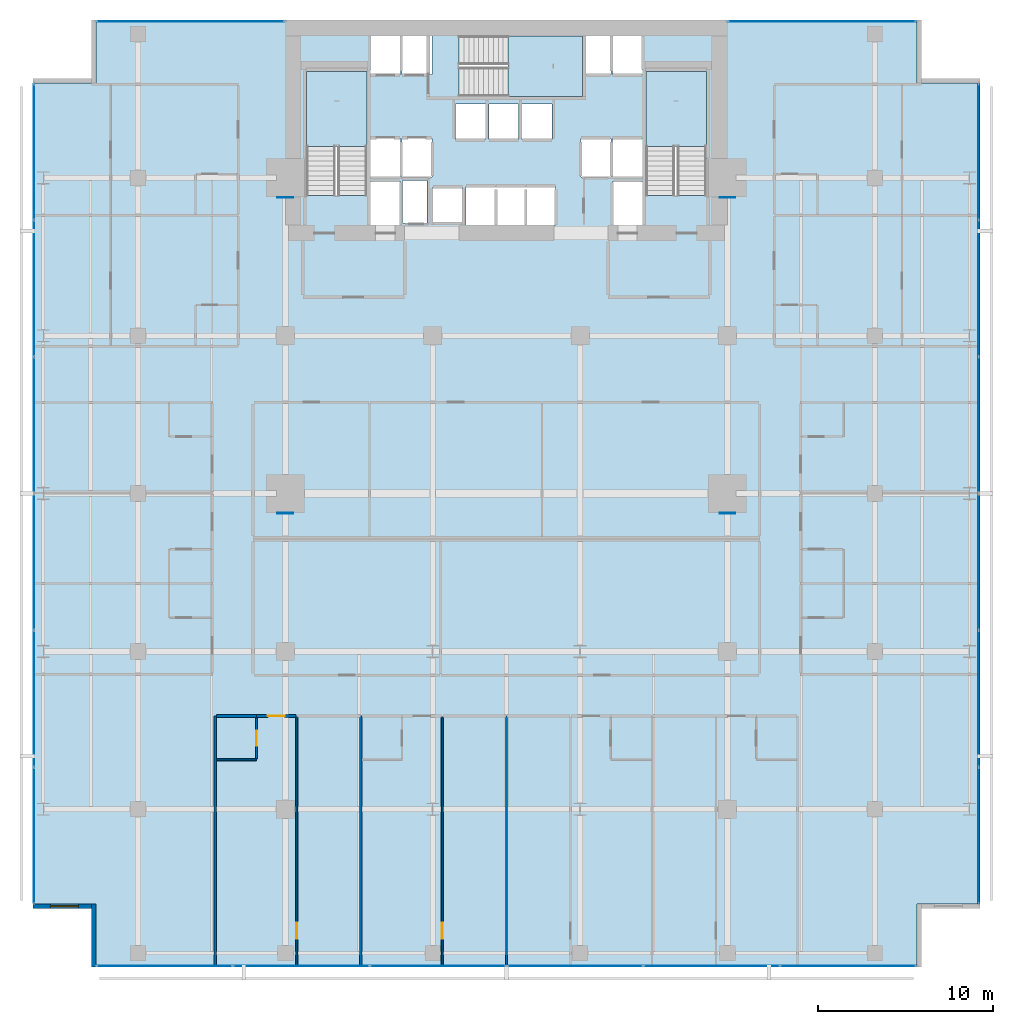
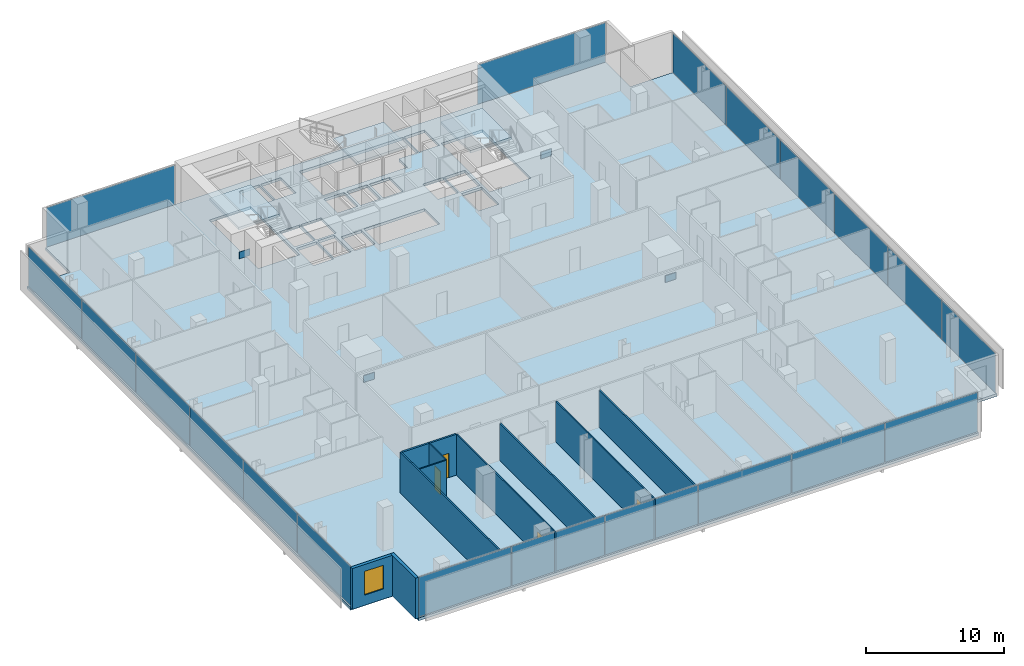
# One storey, part 32 of 39: 24 plates, 11 walls, 4 doors, 4 slabs, 1 window, 5 openings, 8 elements without a shape of their own.
"""IFC4 building model written with IfcOpenShell, lengths in metres."""

from ifc_helpers import new_model, si_unit, direction, frame, frame_2d, origin, origin_2d, place, context, subcontext, project, spatial, polyline, rectangle, outline, extrude, material, layer, layer_set, type_object, element, fill, aggregate, save


model = new_model("IFC4")

# Units and contexts
model_context = context("Model", 3, precision=1e-05, world=origin(), true_north=direction((0.0, 1.0)))
body_context = subcontext(model_context, "Body", "Model", "MODEL_VIEW")
ifc_project = project(units=[si_unit("LENGTHUNIT", "METRE"), si_unit("AREAUNIT", "SQUARE_METRE"), si_unit("VOLUMEUNIT", "CUBIC_METRE"), si_unit("PLANEANGLEUNIT", "RADIAN"), si_unit("MASSUNIT", "GRAM", prefix="KILO")], contexts=[model_context])

# Site, building, storey
site_placement = place(None, origin())
site = spatial("IfcSite", under=ifc_project, at=site_placement, CompositionType="ELEMENT")
building_placement = place(site_placement, origin())
building = spatial("IfcBuilding", under=site, at=building_placement, Name="Maruvema Waterfront Hotel and Observation Tower", CompositionType="ELEMENT")
storey_placement = place(building_placement, frame((0.0, 0.0, 46.199951171875)))
storey = spatial("IfcBuildingStorey", under=building, at=storey_placement, Name="L10", CompositionType="ELEMENT", Elevation=46.199951171875)

# Slab
ifc_material_1 = material(Name="Concrete C50/60", Category="concrete")
ifc_layer_1 = layer(ifc_material_1, 0.239990234375, Name="Reinforced Concrete Floor Slab 240 mm")
ifc_layer_set_1 = layer_set([ifc_layer_1], Name="Concrete C50/60")
slab_type_1 = type_object("IfcSlabType", Name="Reinforced Concrete Floor Slab 240 mm", PredefinedType="FLOOR", material=ifc_layer_set_1)
slab_1_placement = place(storey_placement, frame((0.0, 0.0, -0.239990234375)))
element("IfcSlab", 1, at=slab_1_placement, inside=storey, type_object=slab_type_1, Name="L10 Structural Floor Slab", PredefinedType="FLOOR", context=body_context, shape_type="SweptSolid", body=[
    extrude(outline(polyline([(14.39990234375, 0.0), (61.199951171875, 0.0), (61.199951171875, 3.60009765625), (64.800048828125, 3.60009765625), (64.800048828125, 50.39990234375), (61.199951171875, 50.39990234375), (61.199951171875, 54.0), (14.39990234375, 54.0), (14.39990234375, 50.39990234375), (10.800048828125, 50.39990234375), (10.800048828125, 3.60009765625), (14.39990234375, 3.60009765625), (14.39990234375, 0.0)]), holes=[polyline([(26.39990234375, 44.00048828125), (26.39990234375, 51.050048828125), (29.85009765625, 51.050048828125), (29.85009765625, 44.00048828125), (26.39990234375, 44.00048828125)]), polyline([(30.050048828125, 44.800048828125), (31.75, 44.800048828125), (31.75, 42.320068359375), (30.050048828125, 42.320068359375), (30.050048828125, 44.800048828125)]), polyline([(31.75, 47.25), (31.75, 45.050048828125), (30.050048828125, 45.050048828125), (30.050048828125, 47.25), (31.75, 47.25)]), polyline([(31.75, 53.10009765625), (31.75, 50.89990234375), (30.050048828125, 50.89990234375), (30.050048828125, 53.10009765625), (31.75, 53.10009765625)]), polyline([(33.280029296875, 44.860107421875), (33.280029296875, 42.43994140625), (31.8798828125, 42.43994140625), (31.8798828125, 44.860107421875), (33.280029296875, 44.860107421875)]), polyline([(31.85009765625, 47.25), (33.550048828125, 47.25), (33.550048828125, 45.050048828125), (31.85009765625, 45.050048828125), (31.85009765625, 47.25)]), polyline([(31.85009765625, 53.10009765625), (33.550048828125, 53.10009765625), (33.550048828125, 50.89990234375), (31.85009765625, 50.89990234375), (31.85009765625, 53.10009765625)]), polyline([(33.60009765625, 44.449951171875), (35.300048828125, 44.449951171875), (35.300048828125, 42.449951171875), (33.60009765625, 42.449951171875), (33.60009765625, 44.449951171875)]), polyline([(34.89990234375, 49.199951171875), (36.60009765625, 49.199951171875), (36.60009765625, 47.199951171875), (34.89990234375, 47.199951171875), (34.89990234375, 49.199951171875)]), polyline([(38.5, 49.199951171875), (38.5, 47.199951171875), (36.800048828125, 47.199951171875), (36.800048828125, 49.199951171875), (38.5, 49.199951171875)]), polyline([(35.5, 44.5), (40.60009765625, 44.5), (40.60009765625, 42.300048828125), (35.5, 42.300048828125), (35.5, 44.5)]), polyline([(43.75, 50.89990234375), (42.14990234375, 50.89990234375), (42.14990234375, 49.64990234375), (35.1005859375, 49.64990234375), (35.1005859375, 53.10009765625), (43.75, 53.10009765625), (43.75, 50.89990234375)]), polyline([(40.39990234375, 49.199951171875), (40.39990234375, 47.199951171875), (38.699951171875, 47.199951171875), (38.699951171875, 49.199951171875), (40.39990234375, 49.199951171875)]), polyline([(43.75, 47.25), (43.75, 45.050048828125), (42.050048828125, 45.050048828125), (42.050048828125, 47.25), (43.75, 47.25)]), polyline([(45.550048828125, 44.800048828125), (45.550048828125, 42.320068359375), (43.85009765625, 42.320068359375), (43.85009765625, 44.800048828125), (45.550048828125, 44.800048828125)]), polyline([(43.85009765625, 47.25), (45.550048828125, 47.25), (45.550048828125, 45.050048828125), (43.85009765625, 45.050048828125), (43.85009765625, 47.25)]), polyline([(45.550048828125, 53.10009765625), (45.550048828125, 50.89990234375), (43.85009765625, 50.89990234375), (43.85009765625, 53.10009765625), (45.550048828125, 53.10009765625)]), polyline([(45.75, 51.050048828125), (49.199951171875, 51.050048828125), (49.199951171875, 44.00048828125), (45.75, 44.00048828125), (45.75, 51.050048828125)])]), origin(), (0.0, 0.0, 1.0), 0.239990234375),
])

# Curtain wall, plates
ifc_material_2 = material(Name="Anodised bronze aluminium and solar-control low-E IGU", Category="aluminium")
ifc_layer_2 = layer(ifc_material_2, 0.159912109375, Name="Zone 1 Bronze Inner Thermal Curtain Wall System CW-02")
ifc_layer_set_2 = layer_set([ifc_layer_2], Name="Anodised bronze aluminium and solar-control low-E IGU")
curtain_wall_type = type_object("IfcCurtainWallType", Name="Zone 1 Bronze Inner Thermal Curtain Wall System CW-02", PredefinedType="USERDEFINED", material=ifc_layer_set_2)
curtain_wall_1_placement = place(storey_placement, origin())
curtain_wall_1 = element("IfcCurtainWall", 2, at=curtain_wall_1_placement, inside=storey, type_object=curtain_wall_type, Name="L10 Curtain Wall CW-L10-S", ObjectType="UNITISED CURTAIN WALL", PredefinedType="USERDEFINED")
ifc_material_3 = material(Name="Laminated low-E solar-control double glazing", Category="glass")
ifc_layer_3 = layer(ifc_material_3, 0.035888671875, Name="Solar Control Double-Glazed Curtain Panel 36 mm")
ifc_layer_set_3 = layer_set([ifc_layer_3], Name="Laminated low-E solar-control double glazing")
plate_type_1 = type_object("IfcPlateType", Name="Solar Control Double-Glazed Curtain Panel 36 mm", PredefinedType="CURTAIN_PANEL", material=ifc_layer_set_3)
plate_1_placement = place(storey_placement, frame((18.31494140625, 0.080078125, 0.06005859375), z_axis=(0.0, 0.0, 1.0), x_axis=(1.0, 0.0, 0.0)))
plate_1 = element("IfcPlate", 3, at=plate_1_placement, type_object=plate_type_1, Name="CW-02 panel 1.1", PredefinedType="CURTAIN_PANEL", context=body_context, shape_type="SweptSolid", body=[
    extrude(rectangle(XDim=7.7099609375, YDim=0.028076171875, at=origin_2d()), origin(), (0.0, 0.0, 1.0), 3.489990234375),
])
plate_2_placement = place(storey_placement, frame((26.10009765625, 0.080078125, 0.06005859375), z_axis=(0.0, 0.0, 1.0), x_axis=(1.0, 0.0, 0.0)))
plate_2 = element("IfcPlate", 4, at=plate_2_placement, type_object=plate_type_1, Name="CW-02 panel 2.1", PredefinedType="CURTAIN_PANEL", context=body_context, shape_type="SweptSolid", body=[
    extrude(rectangle(XDim=7.739990234375, YDim=0.028076171875, at=origin_2d()), origin(), (0.0, 0.0, 1.0), 3.489990234375),
])
plate_3_placement = place(storey_placement, frame((33.89990234375, 0.080078125, 0.06005859375), z_axis=(0.0, 0.0, 1.0), x_axis=(1.0, 0.0, 0.0)))
plate_3 = element("IfcPlate", 5, at=plate_3_placement, type_object=plate_type_1, Name="CW-02 panel 3.1", PredefinedType="CURTAIN_PANEL", context=body_context, shape_type="SweptSolid", body=[
    extrude(rectangle(XDim=7.739990234375, YDim=0.028076171875, at=origin_2d()), origin(), (0.0, 0.0, 1.0), 3.489990234375),
])
plate_4_placement = place(storey_placement, frame((41.699951171875, 0.080078125, 0.06005859375), z_axis=(0.0, 0.0, 1.0), x_axis=(1.0, 0.0, 0.0)))
plate_4 = element("IfcPlate", 6, at=plate_4_placement, type_object=plate_type_1, Name="CW-02 panel 4.1", PredefinedType="CURTAIN_PANEL", context=body_context, shape_type="SweptSolid", body=[
    extrude(rectangle(XDim=7.739990234375, YDim=0.028076171875, at=origin_2d()), origin(), (0.0, 0.0, 1.0), 3.489990234375),
])
plate_5_placement = place(storey_placement, frame((49.5, 0.080078125, 0.06005859375), z_axis=(0.0, 0.0, 1.0), x_axis=(1.0, 0.0, 0.0)))
plate_5 = element("IfcPlate", 7, at=plate_5_placement, type_object=plate_type_1, Name="CW-02 panel 5.1", PredefinedType="CURTAIN_PANEL", context=body_context, shape_type="SweptSolid", body=[
    extrude(rectangle(XDim=7.739990234375, YDim=0.028076171875, at=origin_2d()), origin(), (0.0, 0.0, 1.0), 3.489990234375),
])
plate_6_placement = place(storey_placement, frame((57.284912109375, 0.080078125, 0.06005859375), z_axis=(0.0, 0.0, 1.0), x_axis=(1.0, 0.0, 0.0)))
plate_6 = element("IfcPlate", 8, at=plate_6_placement, type_object=plate_type_1, Name="CW-02 panel 6.1", PredefinedType="CURTAIN_PANEL", context=body_context, shape_type="SweptSolid", body=[
    extrude(rectangle(XDim=7.7099609375, YDim=0.028076171875, at=origin_2d()), origin(), (0.0, 0.0, 1.0), 3.489990234375),
])
aggregate(curtain_wall_1, [plate_1, plate_2, plate_3, plate_4, plate_5, plate_6])

curtain_wall_2_placement = place(storey_placement, origin())
curtain_wall_2 = element("IfcCurtainWall", 9, at=curtain_wall_2_placement, inside=storey, type_object=curtain_wall_type, Name="L10 Curtain Wall CW-L10-E", ObjectType="UNITISED CURTAIN WALL", PredefinedType="USERDEFINED")
plate_7_placement = place(storey_placement, frame((64.719970703125, 7.514892578125, 0.06005859375), z_axis=(0.0, 0.0, 1.0), x_axis=(0.0, 1.0, 0.0)))
plate_7 = element("IfcPlate", 10, at=plate_7_placement, type_object=plate_type_1, Name="CW-02 panel 1.1", PredefinedType="CURTAIN_PANEL", context=body_context, shape_type="SweptSolid", body=[
    extrude(rectangle(XDim=7.7099609375, YDim=0.028076171875, at=origin_2d()), origin(), (0.0, 0.0, 1.0), 3.489990234375),
])
plate_8_placement = place(storey_placement, frame((64.719970703125, 15.300048828125, 0.06005859375), z_axis=(0.0, 0.0, 1.0), x_axis=(0.0, 1.0, 0.0)))
plate_8 = element("IfcPlate", 11, at=plate_8_placement, type_object=plate_type_1, Name="CW-02 panel 2.1", PredefinedType="CURTAIN_PANEL", context=body_context, shape_type="SweptSolid", body=[
    extrude(rectangle(XDim=7.739990234375, YDim=0.028076171875, at=origin_2d()), origin(), (0.0, 0.0, 1.0), 3.489990234375),
])
plate_9_placement = place(storey_placement, frame((64.719970703125, 23.10009765625, 0.06005859375), z_axis=(0.0, 0.0, 1.0), x_axis=(0.0, 1.0, 0.0)))
plate_9 = element("IfcPlate", 12, at=plate_9_placement, type_object=plate_type_1, Name="CW-02 panel 3.1", PredefinedType="CURTAIN_PANEL", context=body_context, shape_type="SweptSolid", body=[
    extrude(rectangle(XDim=7.739990234375, YDim=0.028076171875, at=origin_2d()), origin(), (0.0, 0.0, 1.0), 3.489990234375),
])
plate_10_placement = place(storey_placement, frame((64.719970703125, 30.89990234375, 0.06005859375), z_axis=(0.0, 0.0, 1.0), x_axis=(0.0, 1.0, 0.0)))
plate_10 = element("IfcPlate", 13, at=plate_10_placement, type_object=plate_type_1, Name="CW-02 panel 4.1", PredefinedType="CURTAIN_PANEL", context=body_context, shape_type="SweptSolid", body=[
    extrude(rectangle(XDim=7.739990234375, YDim=0.028076171875, at=origin_2d()), origin(), (0.0, 0.0, 1.0), 3.489990234375),
])
plate_11_placement = place(storey_placement, frame((64.719970703125, 38.699951171875, 0.06005859375), z_axis=(0.0, 0.0, 1.0), x_axis=(0.0, 1.0, 0.0)))
plate_11 = element("IfcPlate", 14, at=plate_11_placement, type_object=plate_type_1, Name="CW-02 panel 5.1", PredefinedType="CURTAIN_PANEL", context=body_context, shape_type="SweptSolid", body=[
    extrude(rectangle(XDim=7.739990234375, YDim=0.028076171875, at=origin_2d()), origin(), (0.0, 0.0, 1.0), 3.489990234375),
])
plate_12_placement = place(storey_placement, frame((64.719970703125, 46.485107421875, 0.06005859375), z_axis=(0.0, 0.0, 1.0), x_axis=(0.0, 1.0, 0.0)))
plate_12 = element("IfcPlate", 15, at=plate_12_placement, type_object=plate_type_1, Name="CW-02 panel 6.1", PredefinedType="CURTAIN_PANEL", context=body_context, shape_type="SweptSolid", body=[
    extrude(rectangle(XDim=7.7099609375, YDim=0.028076171875, at=origin_2d()), origin(), (0.0, 0.0, 1.0), 3.489990234375),
])
aggregate(curtain_wall_2, [plate_7, plate_8, plate_9, plate_10, plate_11, plate_12])

curtain_wall_3_placement = place(storey_placement, origin())
curtain_wall_3 = element("IfcCurtainWall", 16, at=curtain_wall_3_placement, inside=storey, type_object=curtain_wall_type, Name="L10 Curtain Wall CW-L10-W", ObjectType="UNITISED CURTAIN WALL", PredefinedType="USERDEFINED")
plate_13_placement = place(storey_placement, frame((10.8798828125, 46.485107421875, 0.06005859375), z_axis=(0.0, 0.0, 1.0), x_axis=(0.0, -1.0, 0.0)))
plate_13 = element("IfcPlate", 17, at=plate_13_placement, type_object=plate_type_1, Name="CW-02 panel 1.1", PredefinedType="CURTAIN_PANEL", context=body_context, shape_type="SweptSolid", body=[
    extrude(rectangle(XDim=7.7099609375, YDim=0.028076171875, at=origin_2d()), origin(), (0.0, 0.0, 1.0), 3.489990234375),
])
plate_14_placement = place(storey_placement, frame((10.8798828125, 38.699951171875, 0.06005859375), z_axis=(0.0, 0.0, 1.0), x_axis=(0.0, -1.0, 0.0)))
plate_14 = element("IfcPlate", 18, at=plate_14_placement, type_object=plate_type_1, Name="CW-02 panel 2.1", PredefinedType="CURTAIN_PANEL", context=body_context, shape_type="SweptSolid", body=[
    extrude(rectangle(XDim=7.739990234375, YDim=0.028076171875, at=origin_2d()), origin(), (0.0, 0.0, 1.0), 3.489990234375),
])
plate_15_placement = place(storey_placement, frame((10.8798828125, 30.89990234375, 0.06005859375), z_axis=(0.0, 0.0, 1.0), x_axis=(0.0, -1.0, 0.0)))
plate_15 = element("IfcPlate", 19, at=plate_15_placement, type_object=plate_type_1, Name="CW-02 panel 3.1", PredefinedType="CURTAIN_PANEL", context=body_context, shape_type="SweptSolid", body=[
    extrude(rectangle(XDim=7.739990234375, YDim=0.028076171875, at=origin_2d()), origin(), (0.0, 0.0, 1.0), 3.489990234375),
])
plate_16_placement = place(storey_placement, frame((10.8798828125, 23.10009765625, 0.06005859375), z_axis=(0.0, 0.0, 1.0), x_axis=(0.0, -1.0, 0.0)))
plate_16 = element("IfcPlate", 20, at=plate_16_placement, type_object=plate_type_1, Name="CW-02 panel 4.1", PredefinedType="CURTAIN_PANEL", context=body_context, shape_type="SweptSolid", body=[
    extrude(rectangle(XDim=7.739990234375, YDim=0.028076171875, at=origin_2d()), origin(), (0.0, 0.0, 1.0), 3.489990234375),
])
plate_17_placement = place(storey_placement, frame((10.8798828125, 15.300048828125, 0.06005859375), z_axis=(0.0, 0.0, 1.0), x_axis=(0.0, -1.0, 0.0)))
plate_17 = element("IfcPlate", 21, at=plate_17_placement, type_object=plate_type_1, Name="CW-02 panel 5.1", PredefinedType="CURTAIN_PANEL", context=body_context, shape_type="SweptSolid", body=[
    extrude(rectangle(XDim=7.739990234375, YDim=0.028076171875, at=origin_2d()), origin(), (0.0, 0.0, 1.0), 3.489990234375),
])
plate_18_placement = place(storey_placement, frame((10.8798828125, 7.514892578125, 0.06005859375), z_axis=(0.0, 0.0, 1.0), x_axis=(0.0, -1.0, 0.0)))
plate_18 = element("IfcPlate", 22, at=plate_18_placement, type_object=plate_type_1, Name="CW-02 panel 6.1", PredefinedType="CURTAIN_PANEL", context=body_context, shape_type="SweptSolid", body=[
    extrude(rectangle(XDim=7.7099609375, YDim=0.028076171875, at=origin_2d()), origin(), (0.0, 0.0, 1.0), 3.489990234375),
])
aggregate(curtain_wall_3, [plate_13, plate_14, plate_15, plate_16, plate_17, plate_18])

# Curtain wall, plate
curtain_wall_4_placement = place(storey_placement, origin())
curtain_wall_4 = element("IfcCurtainWall", 23, at=curtain_wall_4_placement, inside=storey, type_object=curtain_wall_type, Name="L10 Curtain Wall CW-L10-NW", ObjectType="UNITISED CURTAIN WALL", PredefinedType="USERDEFINED")
plate_19_placement = place(storey_placement, frame((19.800048828125, 53.919921875, 0.06005859375), z_axis=(0.0, 0.0, 1.0), x_axis=(-1.0, 0.0, 0.0)))
plate_19 = element("IfcPlate", 24, at=plate_19_placement, type_object=plate_type_1, Name="CW-02 panel 1.1", PredefinedType="CURTAIN_PANEL", context=body_context, shape_type="SweptSolid", body=[
    extrude(rectangle(XDim=10.679931640625, YDim=0.028076171875, at=origin_2d()), origin(), (0.0, 0.0, 1.0), 3.489990234375),
])
aggregate(curtain_wall_4, [plate_19])

curtain_wall_5_placement = place(storey_placement, origin())
curtain_wall_5 = element("IfcCurtainWall", 25, at=curtain_wall_5_placement, inside=storey, type_object=curtain_wall_type, Name="L10 Curtain Wall CW-L10-NE", ObjectType="UNITISED CURTAIN WALL", PredefinedType="USERDEFINED")
plate_20_placement = place(storey_placement, frame((55.800048828125, 53.919921875, 0.06005859375), z_axis=(0.0, 0.0, 1.0), x_axis=(-1.0, 0.0, 0.0)))
plate_20 = element("IfcPlate", 26, at=plate_20_placement, type_object=plate_type_1, Name="CW-02 panel 1.1", PredefinedType="CURTAIN_PANEL", context=body_context, shape_type="SweptSolid", body=[
    extrude(rectangle(XDim=10.679931640625, YDim=0.028076171875, at=origin_2d()), origin(), (0.0, 0.0, 1.0), 3.489990234375),
])
aggregate(curtain_wall_5, [plate_20])

# Stair, slab
ifc_material_4 = material(Name="Concrete C50/60", Category="concrete")
stair_type = type_object("IfcStairType", Name="Dogleg Exit Stair 1650 mm (22R x 175.0 mm)", PredefinedType="HALF_TURN_STAIR", material=ifc_material_4)
stair_1_placement = place(storey_placement, origin())
stair_1 = element("IfcStair", 27, at=stair_1_placement, inside=storey, type_object=stair_type, Name="L10 ST-01", PredefinedType="HALF_TURN_STAIR")
ifc_material_5 = material(Name="Concrete C50/60", Category="concrete")
ifc_layer_4 = layer(ifc_material_5, 0.219970703125, Name="Stair Concrete Landing Slab 220 mm")
ifc_layer_set_4 = layer_set([ifc_layer_4], Name="Concrete C50/60")
slab_type_2 = type_object("IfcSlabType", Name="Stair Concrete Landing Slab 220 mm", PredefinedType="LANDING", material=ifc_layer_set_4)
slab_2_placement = place(storey_placement, frame((0.0, 0.0, 1.705078125)))
slab_2 = element("IfcSlab", 28, at=slab_2_placement, type_object=slab_type_2, Name="ST-01 landing 1", PredefinedType="LANDING", context=body_context, shape_type="SweptSolid", body=[
    extrude(outline(polyline([(29.85009765625, 46.800048828125), (29.85009765625, 51.050048828125), (26.39990234375, 51.050048828125), (26.39990234375, 46.800048828125), (29.85009765625, 46.800048828125)])), origin(), (0.0, 0.0, 1.0), 0.219970703125),
])
aggregate(stair_1, [slab_2])

stair_2_placement = place(storey_placement, origin())
stair_2 = element("IfcStair", 29, at=stair_2_placement, inside=storey, type_object=stair_type, Name="L10 ST-02", PredefinedType="HALF_TURN_STAIR")
slab_3_placement = place(storey_placement, frame((0.0, 0.0, 1.705078125)))
slab_3 = element("IfcSlab", 30, at=slab_3_placement, type_object=slab_type_2, Name="ST-02 landing 1", PredefinedType="LANDING", context=body_context, shape_type="SweptSolid", body=[
    extrude(outline(polyline([(37.89990234375, 49.64990234375), (42.14990234375, 49.64990234375), (42.14990234375, 53.10009765625), (37.89990234375, 53.10009765625), (37.89990234375, 49.64990234375)])), origin(), (0.0, 0.0, 1.0), 0.219970703125),
])
aggregate(stair_2, [slab_3])

stair_3_placement = place(storey_placement, origin())
stair_3 = element("IfcStair", 31, at=stair_3_placement, inside=storey, type_object=stair_type, Name="L10 ST-03", PredefinedType="HALF_TURN_STAIR")
slab_4_placement = place(storey_placement, frame((0.0, 0.0, 1.705078125)))
slab_4 = element("IfcSlab", 32, at=slab_4_placement, type_object=slab_type_2, Name="ST-03 landing 1", PredefinedType="LANDING", context=body_context, shape_type="SweptSolid", body=[
    extrude(outline(polyline([(49.199951171875, 46.800048828125), (49.199951171875, 51.050048828125), (45.75, 51.050048828125), (45.75, 46.800048828125), (49.199951171875, 46.800048828125)])), origin(), (0.0, 0.0, 1.0), 0.219970703125),
])
aggregate(stair_3, [slab_4])

# Plates
ifc_material_6 = material(Name="Steel ABNT NBR 7007 AR 415 (ASTM A572 Grade 50)", Category="steel")
ifc_layer_5 = layer(ifc_material_6, 0.0400390625, Name="Structural Truss Node Gusset Plate 40 mm")
ifc_layer_set_5 = layer_set([ifc_layer_5], Name="Steel ABNT NBR 7007 AR 415 (ASTM A572 Grade 50)")
plate_type_2 = type_object("IfcPlateType", Name="Structural Truss Node Gusset Plate 40 mm", PredefinedType="USERDEFINED", material=ifc_layer_set_5)
for number, where, z_axis, x_axis, name in (
    (33, (25.199951171875, 25.8798828125, 1.5), (0.0, 0.0, 1.0), (1.0, 0.0, 0.0), "L10 MC-01 Moment Frame Continuity Gusset Plate"),
    (34, (50.39990234375, 25.8798828125, 1.5), (0.0, 0.0, 1.0), (1.0, 0.0, 0.0), "L10 MC-02 Moment Frame Continuity Gusset Plate"),
    (35, (25.199951171875, 43.8798828125, 1.5), (0.0, 0.0, 1.0), (1.0, 0.0, 0.0), "L10 MC-03 Moment Frame Continuity Gusset Plate"),
    (36, (50.39990234375, 43.8798828125, 1.5), (0.0, 0.0, 1.0), (1.0, 0.0, 0.0), "L10 MC-04 Moment Frame Continuity Gusset Plate"),
):
    element("IfcPlate", number, at=place(storey_placement, frame(where, z_axis=z_axis, x_axis=x_axis)), inside=storey, type_object=plate_type_2, Name=name, ObjectType="GUSSET_PLATE", PredefinedType="USERDEFINED", context=body_context, shape_type="SweptSolid", body=[
        extrude(rectangle(XDim=0.89990234375, YDim=0.0400390625, at=origin_2d()), origin(), (0.0, 0.0, 1.0), 0.60009765625),
    ])

# Wall
ifc_material_7 = material(Name="Twin-stud acoustic gypsum drywall", Category="gypsum")
ifc_layer_6 = layer(ifc_material_7, 0.14990234375, Name="Acoustic Corridor and Suite Demising Wall 150 mm")
ifc_layer_set_6 = layer_set([ifc_layer_6], Name="Twin-stud acoustic gypsum drywall")
wall_type_1 = type_object("IfcWallType", Name="Acoustic Corridor and Suite Demising Wall 150 mm", PredefinedType="PARTITIONING", material=ifc_layer_set_6)
wall_1_placement = place(storey_placement, frame((21.280029296875, 14.320068359375, 0.0), z_axis=(0.0, 0.0, 1.0), x_axis=(1.0, 0.0, 0.0)))
element("IfcWall", 37, at=wall_1_placement, inside=storey, type_object=wall_type_1, Name="L10 Bath L10-S1 Back Wall 028", PredefinedType="PARTITIONING", context=body_context, shape_type="SweptSolid", body=[
    extrude(rectangle(XDim=2.27001953125, YDim=0.14990234375, at=frame_2d((1.135009765625, 0.0))), origin(), (0.0, 0.0, 1.0), 3.610107421875),
])

# Wall, opening, door
wall_2_placement = place(storey_placement, frame((23.550048828125, 14.320068359375, 0.0), z_axis=(0.0, 0.0, 1.0), x_axis=(1.0, 0.0, 0.0)))
wall_2 = element("IfcWall", 38, at=wall_2_placement, inside=storey, type_object=wall_type_1, Name="L10 Unit L10-S1 Corridor Wall 031", PredefinedType="PARTITIONING", context=body_context, shape_type="SweptSolid", body=[
    extrude(rectangle(XDim=2.258056640625, YDim=0.14990234375, at=frame_2d((1.12890625, 0.0))), origin(), (0.0, 0.0, 1.0), 3.610107421875),
])
opening_1_placement = place(wall_2_placement, frame((0.654052734375, 0.0, 0.0)))
opening_1 = element("IfcOpeningElement", 39, at=opening_1_placement, cuts=wall_2, Name="Opening DR-095", PredefinedType="OPENING", context=body_context, shape_type="SweptSolid", body=[
    extrude(rectangle(XDim=0.949951171875, YDim=2.14990234375, at=frame_2d((0.47509765625, 1.074951171875))), frame((0.0, 0.0849609375, 0.0), z_axis=(0.0, -1.0, 0.0), x_axis=(1.0, 0.0, 0.0)), (0.0, 0.0, 1.0), 0.169921875),
])
ifc_material_8 = material(Name="Acoustic solid-core hardwood timber leaf", Category="wood")
door_type_1 = type_object("IfcDoorType", Name="Guestroom Entrance Fire Door 950x2150 mm", OperationType="NOTDEFINED", PredefinedType="DOOR", material=ifc_material_8)
door_1_placement = place(opening_1_placement, frame((0.949951171875, 0.0, 0.0), z_axis=(0.0, 0.0, 1.0), x_axis=(-1.0, 0.0, 0.0)))
door_1 = element("IfcDoor", 40, at=door_1_placement, inside=storey, type_object=door_type_1, Name="L10 Unit L10-S1 Entrance Door", OperationType="SINGLE_SWING_LEFT", OverallHeight=2.14990234375, OverallWidth=0.949951171875, PredefinedType="DOOR", context=body_context, shape_type="SweptSolid", body=[
    extrude(rectangle(XDim=0.949951171875, YDim=2.14990234375, at=frame_2d((0.47509765625, 1.074951171875))), frame((0.0, 0.02490234375, 0.0), z_axis=(0.0, -1.0, 0.0), x_axis=(1.0, 0.0, 0.0)), (0.0, 0.0, 1.0), 0.050048828125),
])
fill(opening_1, door_1)

# Wall
ifc_material_9 = material(Name="Moisture-resistant cement-board drywall", Category="gypsum")
ifc_layer_7 = layer(ifc_material_9, 0.10009765625, Name="En-Suite Moisture-Resistant Partition 100 mm")
ifc_layer_set_7 = layer_set([ifc_layer_7], Name="Moisture-resistant cement-board drywall")
wall_type_2 = type_object("IfcWallType", Name="En-Suite Moisture-Resistant Partition 100 mm", PredefinedType="PARTITIONING", material=ifc_layer_set_7)
wall_3_placement = place(storey_placement, frame((21.280029296875, 11.820068359375, 0.0), z_axis=(0.0, 0.0, 1.0), x_axis=(1.0, 0.0, 0.0)))
element("IfcWall", 41, at=wall_3_placement, inside=storey, type_object=wall_type_2, Name="L10 En-Suite L10-S1 South 029", PredefinedType="PARTITIONING", context=body_context, shape_type="SweptSolid", body=[
    extrude(rectangle(XDim=2.27001953125, YDim=0.10009765625, at=frame_2d((1.135009765625, 0.0))), origin(), (0.0, 0.0, 1.0), 3.610107421875),
])

# Wall, opening, door
wall_4_placement = place(storey_placement, frame((23.550048828125, 11.8798828125, 0.0), z_axis=(0.0, 0.0, 1.0), x_axis=(0.0, 1.0, 0.0)))
wall_4 = element("IfcWall", 42, at=wall_4_placement, inside=storey, type_object=wall_type_2, Name="L10 En-Suite L10-S1 East 030", PredefinedType="PARTITIONING", context=body_context, shape_type="SweptSolid", body=[
    extrude(rectangle(XDim=2.340087890625, YDim=0.10009765625, at=frame_2d((1.169921875, 0.0))), origin(), (0.0, 0.0, 1.0), 3.610107421875),
])
opening_2_placement = place(wall_4_placement, frame((0.7451171875, 0.0, 0.0)))
opening_2 = element("IfcOpeningElement", 43, at=opening_2_placement, cuts=wall_4, Name="Opening DR-085", PredefinedType="OPENING", context=body_context, shape_type="SweptSolid", body=[
    extrude(rectangle(XDim=0.85009765625, YDim=2.10009765625, at=frame_2d((0.425048828125, 1.050048828125))), frame((0.0, 0.06005859375, 0.0), z_axis=(0.0, -1.0, 0.0), x_axis=(1.0, 0.0, 0.0)), (0.0, 0.0, 1.0), 0.1201171875),
])
ifc_material_10 = material(Name="Moisture-resistant solid timber leaf", Category="wood")
door_type_2 = type_object("IfcDoorType", Name="En-Suite Bathroom Door 850x2100 mm", OperationType="NOTDEFINED", PredefinedType="DOOR", material=ifc_material_10)
door_2_placement = place(opening_2_placement, frame((0.85009765625, 0.0, 0.0), z_axis=(0.0, 0.0, 1.0), x_axis=(-1.0, 0.0, 0.0)))
door_2 = element("IfcDoor", 44, at=door_2_placement, inside=storey, type_object=door_type_2, Name="L10 En-Suite L10-S1 Door", OperationType="SINGLE_SWING_RIGHT", OverallHeight=2.10009765625, OverallWidth=0.85009765625, PredefinedType="DOOR", context=body_context, shape_type="SweptSolid", body=[
    extrude(rectangle(XDim=0.85009765625, YDim=2.10009765625, at=frame_2d((0.425048828125, 1.050048828125))), frame((0.0, 0.02490234375, 0.0), z_axis=(0.0, -1.0, 0.0), x_axis=(1.0, 0.0, 0.0)), (0.0, 0.0, 1.0), 0.050048828125),
])
fill(opening_2, door_2)

wall_5_placement = place(storey_placement, frame((25.847900390625, 0.030029296875, 0.0), z_axis=(0.0, 0.0, 1.0), x_axis=(0.0, 1.0, 0.0)))
wall_5 = element("IfcWall", 45, at=wall_5_placement, inside=storey, type_object=wall_type_2, Name="L10 Suite L10-S1 Split 033", PredefinedType="PARTITIONING", context=body_context, shape_type="SweptSolid", body=[
    extrude(rectangle(XDim=14.22998046875, YDim=0.10009765625, at=frame_2d((7.114990234375, 0.0))), origin(), (0.0, 0.0, 1.0), 3.610107421875),
])
opening_3_placement = place(wall_5_placement, frame((1.60009765625, 0.0, 0.0)))
opening_3 = element("IfcOpeningElement", 46, at=opening_3_placement, cuts=wall_5, Name="Opening DR-090", PredefinedType="OPENING", context=body_context, shape_type="SweptSolid", body=[
    extrude(rectangle(XDim=0.89990234375, YDim=2.10009765625, at=frame_2d((0.449951171875, 1.050048828125))), frame((0.0, 0.06005859375, 0.0), z_axis=(0.0, -1.0, 0.0), x_axis=(1.0, 0.0, 0.0)), (0.0, 0.0, 1.0), 0.1201171875),
])
ifc_material_11 = material(Name="Solid-core lacquered timber leaf", Category="wood")
door_type_3 = type_object("IfcDoorType", Name="Accessible Toilet and Room Door 900x2100 mm", OperationType="NOTDEFINED", PredefinedType="DOOR", material=ifc_material_11)
door_3_placement = place(opening_3_placement, origin())
door_3 = element("IfcDoor", 47, at=door_3_placement, inside=storey, type_object=door_type_3, Name="L10 Suite L10-S1 Bedroom Door", OperationType="SINGLE_SWING_RIGHT", OverallHeight=2.10009765625, OverallWidth=0.89990234375, PredefinedType="DOOR", context=body_context, shape_type="SweptSolid", body=[
    extrude(rectangle(XDim=0.89990234375, YDim=2.10009765625, at=frame_2d((0.449951171875, 1.050048828125))), frame((0.0, 0.02490234375, 0.0), z_axis=(0.0, -1.0, 0.0), x_axis=(1.0, 0.0, 0.0)), (0.0, 0.0, 1.0), 0.050048828125),
])
fill(opening_3, door_3)

wall_6_placement = place(storey_placement, frame((34.14794921875, 0.030029296875, 0.0), z_axis=(0.0, 0.0, 1.0), x_axis=(0.0, 1.0, 0.0)))
wall_6 = element("IfcWall", 48, at=wall_6_placement, inside=storey, type_object=wall_type_2, Name="L10 Suite L10-S2 Split 040", PredefinedType="PARTITIONING", context=body_context, shape_type="SweptSolid", body=[
    extrude(rectangle(XDim=14.22998046875, YDim=0.10009765625, at=frame_2d((7.114990234375, 0.0))), origin(), (0.0, 0.0, 1.0), 3.610107421875),
])
opening_4_placement = place(wall_6_placement, frame((1.60009765625, 0.0, 0.0)))
opening_4 = element("IfcOpeningElement", 49, at=opening_4_placement, cuts=wall_6, Name="Opening DR-090", PredefinedType="OPENING", context=body_context, shape_type="SweptSolid", body=[
    extrude(rectangle(XDim=0.89990234375, YDim=2.10009765625, at=frame_2d((0.449951171875, 1.050048828125))), frame((0.0, 0.06005859375, 0.0), z_axis=(0.0, -1.0, 0.0), x_axis=(1.0, 0.0, 0.0)), (0.0, 0.0, 1.0), 0.1201171875),
])
door_4_placement = place(opening_4_placement, origin())
door_4 = element("IfcDoor", 50, at=door_4_placement, inside=storey, type_object=door_type_3, Name="L10 Suite L10-S2 Bedroom Door", OperationType="SINGLE_SWING_LEFT", OverallHeight=2.10009765625, OverallWidth=0.89990234375, PredefinedType="DOOR", context=body_context, shape_type="SweptSolid", body=[
    extrude(rectangle(XDim=0.89990234375, YDim=2.10009765625, at=frame_2d((0.449951171875, 1.050048828125))), frame((0.0, 0.02490234375, 0.0), z_axis=(0.0, -1.0, 0.0), x_axis=(1.0, 0.0, 0.0)), (0.0, 0.0, 1.0), 0.050048828125),
])
fill(opening_4, door_4)

# Wall
ifc_material_12 = material(Name="Precast concrete C45/55 with honed Pernambuco granite facing", Category="masonry")
ifc_layer_8 = layer(ifc_material_12, 0.260009765625, Name="Exterior Granite Clad Spandrel and Pier Wall 260 mm")
ifc_layer_set_8 = layer_set([ifc_layer_8], Name="Precast concrete C45/55 with honed Pernambuco granite facing")
wall_type_3 = type_object("IfcWallType", Name="Exterior Granite Clad Spandrel and Pier Wall 260 mm", PredefinedType="SOLIDWALL", material=ifc_layer_set_8)
wall_7_placement = place(storey_placement, frame((14.27001953125, 0.0, 0.0), z_axis=(0.0, 0.0, 1.0), x_axis=(0.0, 1.0, 0.0)))
element("IfcWall", 51, at=wall_7_placement, inside=storey, type_object=wall_type_3, Name="L10 Corner Notch Granite Pier Wall SW1", PredefinedType="SOLIDWALL", context=body_context, shape_type="SweptSolid", body=[
    extrude(rectangle(XDim=3.60009765625, YDim=0.260009765625, at=frame_2d((1.800048828125, 0.0))), origin(), (0.0, 0.0, 1.0), 3.610107421875),
])

# Wall, opening, window
wall_8_placement = place(storey_placement, frame((14.39990234375, 3.469970703125, 0.0), z_axis=(0.0, 0.0, 1.0), x_axis=(-1.0, 0.0, 0.0)))
wall_8 = element("IfcWall", 52, at=wall_8_placement, inside=storey, type_object=wall_type_3, Name="L10 Corner Notch Granite Pier Wall SW2", PredefinedType="SOLIDWALL", context=body_context, shape_type="SweptSolid", body=[
    extrude(rectangle(XDim=3.599853515625, YDim=0.260009765625, at=frame_2d((1.7998046875, 0.0))), origin(), (0.0, 0.0, 1.0), 3.610107421875),
])
opening_5_placement = place(wall_8_placement, frame((1.0, 0.0, 0.89990234375)))
opening_5 = element("IfcOpeningElement", 53, at=opening_5_placement, cuts=wall_8, Name="Opening WN-01", PredefinedType="OPENING", context=body_context, shape_type="SweptSolid", body=[
    extrude(rectangle(XDim=1.60009765625, YDim=2.10009765625, at=frame_2d((0.800048828125, 1.050048828125))), frame((0.0, 0.14013671875, 0.0), z_axis=(0.0, -1.0, 0.0), x_axis=(1.0, 0.0, 0.0)), (0.0, 0.0, 1.0), 0.280029296875),
])
ifc_material_13 = material(Name="Anodised bronze aluminium frame with laminated low-E glass", Category="aluminium")
window_type = type_object("IfcWindowType", Name="Corner Notch Feature Window 1600x2100 mm", PartitioningType="SINGLE_PANEL", PredefinedType="WINDOW", material=ifc_material_13)
window_placement = place(opening_5_placement, origin())
window = element("IfcWindow", 54, at=window_placement, inside=storey, type_object=window_type, Name="L10 Corner Notch Punched Window SW2", OverallHeight=2.10009765625, OverallWidth=1.60009765625, PartitioningType="SINGLE_PANEL", PredefinedType="WINDOW", context=body_context, shape_type="SweptSolid", body=[
    extrude(rectangle(XDim=1.60009765625, YDim=2.10009765625, at=frame_2d((0.800048828125, 1.050048828125))), frame((0.0, 0.030029296875, 0.0), z_axis=(0.0, -1.0, 0.0), x_axis=(1.0, 0.0, 0.0)), (0.0, 0.0, 1.0), 0.06005859375),
])
fill(opening_5, window)

# Walls
ifc_material_14 = material(Name="Acoustic gypsum plasterboard drywall", Category="gypsum")
ifc_layer_9 = layer(ifc_material_14, 0.125, Name="Guestroom Acoustic Demising Wall 125 mm")
ifc_layer_set_9 = layer_set([ifc_layer_9], Name="Acoustic gypsum plasterboard drywall")
wall_type_4 = type_object("IfcWallType", Name="Guestroom Acoustic Demising Wall 125 mm", PredefinedType="PARTITIONING", material=ifc_layer_set_9)
wall_9_placement = place(storey_placement, frame((21.199951171875, 0.10009765625, 0.0), z_axis=(0.0, 0.0, 1.0), x_axis=(0.0, 1.0, 0.0)))
element("IfcWall", 55, at=wall_9_placement, inside=storey, type_object=wall_type_4, Name="L10 S West End 026", PredefinedType="PARTITIONING", context=body_context, shape_type="SweptSolid", body=[
    extrude(rectangle(XDim=14.219970703125, YDim=0.125, at=frame_2d((7.10986328125, 0.0))), origin(), (0.0, 0.0, 1.0), 3.610107421875),
])
wall_10_placement = place(storey_placement, frame((29.5, 0.10009765625, 0.0), z_axis=(0.0, 0.0, 1.0), x_axis=(0.0, 1.0, 0.0)))
element("IfcWall", 56, at=wall_10_placement, inside=storey, type_object=wall_type_4, Name="L10 S Demising 2 034", PredefinedType="PARTITIONING", context=body_context, shape_type="SweptSolid", body=[
    extrude(rectangle(XDim=14.219970703125, YDim=0.125, at=frame_2d((7.10986328125, 0.0))), origin(), (0.0, 0.0, 1.0), 3.255126953125),
])
wall_11_placement = place(storey_placement, frame((37.800048828125, 0.10009765625, 0.0), z_axis=(0.0, 0.0, 1.0), x_axis=(0.0, 1.0, 0.0)))
element("IfcWall", 57, at=wall_11_placement, inside=storey, type_object=wall_type_4, Name="L10 S Demising 3 041", PredefinedType="PARTITIONING", context=body_context, shape_type="SweptSolid", body=[
    extrude(rectangle(XDim=14.219970703125, YDim=0.125, at=frame_2d((7.10986328125, 0.0))), origin(), (0.0, 0.0, 1.0), 3.29296875),
])

save(model, "model.ifc")
